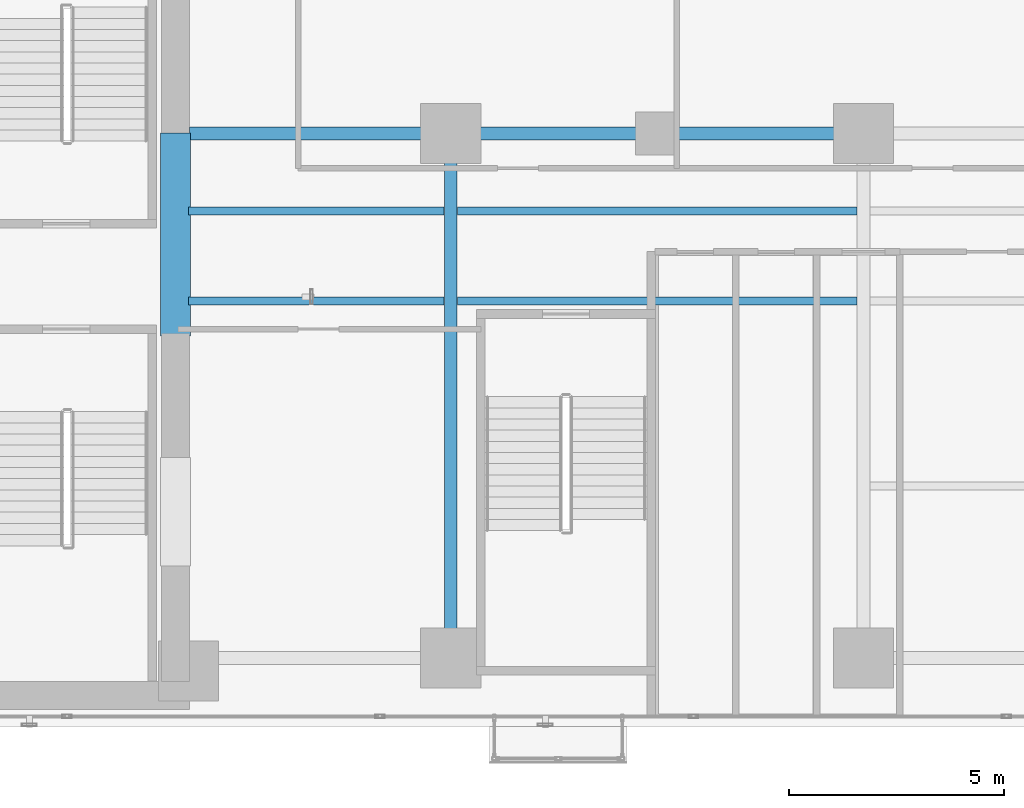
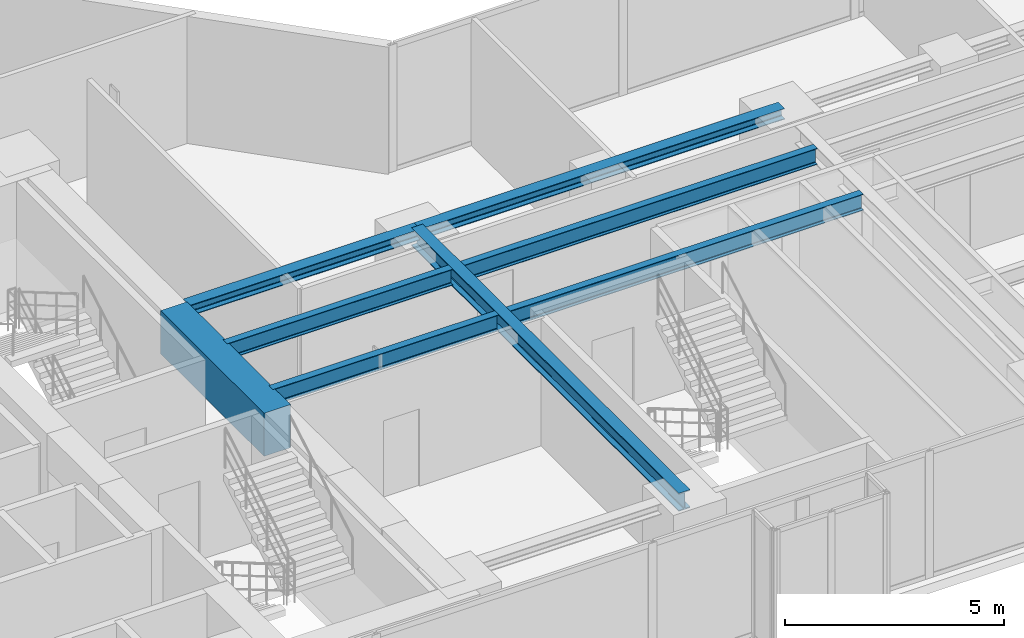
# One storey, part 5 of 24: 8 beams.
"""IFC4 building model written with IfcOpenShell, lengths in metres."""

from ifc_helpers import new_model, si_unit, direction, frame, origin, origin_2d, place, context, subcontext, project, spatial, rectangle, i_section, extrude, material, material_profile, profile_set, type_object, element, save


model = new_model("IFC4")

# Units and contexts
model_context = context("Model", 3, precision=1e-05, world=origin(), true_north=direction((0.0, 1.0)))
body_context = subcontext(model_context, "Body", "Model", "MODEL_VIEW")
ifc_project = project(units=[si_unit("LENGTHUNIT", "METRE"), si_unit("AREAUNIT", "SQUARE_METRE"), si_unit("VOLUMEUNIT", "CUBIC_METRE"), si_unit("PLANEANGLEUNIT", "RADIAN"), si_unit("MASSUNIT", "GRAM", prefix="KILO")], contexts=[model_context])

# Site, building, storey
site_placement = place(None, origin())
site = spatial("IfcSite", under=ifc_project, at=site_placement, CompositionType="ELEMENT")
building_placement = place(site_placement, origin())
building = spatial("IfcBuilding", under=site, at=building_placement, Name="Kolvaren Waterfront Exchange", CompositionType="ELEMENT")
storey_placement = place(building_placement, frame((0.0, 0.0, 95.5)))
storey = spatial("IfcBuildingStorey", under=building, at=storey_placement, Name="L24", CompositionType="ELEMENT", Elevation=95.5)

# Beams
ifc_material_1 = material(Name="Steel S355", Category="steel")
ifc_material_profile_1 = material_profile(ifc_material_1, i_section(OverallWidth=0.300048828125, OverallDepth=0.300048828125, WebThickness=0.010986328125, FlangeThickness=0.01904296875, FilletRadius=0.027099609375, at=origin_2d()), Name="HEB300")
ifc_profile_set_1 = profile_set([ifc_material_profile_1], Name="Steel S355")
beam_type_1 = type_object("IfcBeamType", Name="STR-BM-HEB300", PredefinedType="SPANDREL", material=ifc_profile_set_1)
beam_1_placement = place(storey_placement, frame((21.125, 17.39990234375, 3.389892578125), z_axis=(1.0, 0.0, 0.0), x_axis=(0.0, 1.0, 0.0)))
element("IfcBeam", 1, at=beam_1_placement, inside=storey, type_object=beam_type_1, Name="L24 east-arm spandrel N1", PredefinedType="SPANDREL", context=body_context, shape_type="SweptSolid", body=[
    extrude(i_section(OverallWidth=0.300048828125, OverallDepth=0.300048828125, WebThickness=0.010986328125, FlangeThickness=0.01904296875, FilletRadius=0.027099609375, at=origin_2d()), origin(), (0.0, 0.0, 1.0), 6.074951171875),
])
beam_2_placement = place(storey_placement, frame((27.199951171875, 17.39990234375, 3.389892578125), z_axis=(1.0, 0.0, 0.0), x_axis=(0.0, 1.0, 0.0)))
element("IfcBeam", 2, at=beam_2_placement, inside=storey, type_object=beam_type_1, Name="L24 east-arm spandrel N2", PredefinedType="SPANDREL", context=body_context, shape_type="SweptSolid", body=[
    extrude(i_section(OverallWidth=0.300048828125, OverallDepth=0.300048828125, WebThickness=0.010986328125, FlangeThickness=0.01904296875, FilletRadius=0.027099609375, at=origin_2d()), origin(), (0.0, 0.0, 1.0), 9.60009765625),
])
ifc_material_profile_2 = material_profile(ifc_material_1, i_section(OverallWidth=0.300048828125, OverallDepth=0.5, WebThickness=0.014404296875, FlangeThickness=0.028076171875, FilletRadius=0.027099609375, at=origin_2d()), Name="HEB500")
ifc_profile_set_2 = profile_set([ifc_material_profile_2], Name="Steel S355")
beam_type_2 = type_object("IfcBeamType", Name="STR-BM-HEB500", PredefinedType="BEAM", material=ifc_profile_set_2)
beam_3_placement = place(storey_placement, frame((27.199951171875, 5.199951171875, 3.2900390625), z_axis=(0.0, 1.0, 0.0), x_axis=(-1.0, 0.0, 0.0)))
element("IfcBeam", 3, at=beam_3_placement, inside=storey, type_object=beam_type_2, Name="L24 east-arm transverse girder X27", PredefinedType="BEAM", context=body_context, shape_type="SweptSolid", body=[
    extrude(i_section(OverallWidth=0.300048828125, OverallDepth=0.5, WebThickness=0.014404296875, FlangeThickness=0.028076171875, FilletRadius=0.027099609375, at=origin_2d()), origin(), (0.0, 0.0, 1.0), 12.199951171875),
])
ifc_material_profile_3 = material_profile(ifc_material_1, i_section(OverallWidth=0.18994140625, OverallDepth=0.449951171875, WebThickness=0.009521484375, FlangeThickness=0.0146484375, FilletRadius=0.02099609375, at=origin_2d()), Name="IPE450")
ifc_profile_set_3 = profile_set([ifc_material_profile_3], Name="Steel S355")
beam_type_3 = type_object("IfcBeamType", Name="STR-BM-IPE450", PredefinedType="JOIST", material=ifc_profile_set_3)
for number, where, z_axis, x_axis, name in (
    (4, (21.10009765625, 13.5, 3.31494140625), (1.0, 0.0, 0.0), (0.0, 1.0, 0.0), "L24 east-arm composite joist 1A"),
    (5, (21.10009765625, 15.60009765625, 3.31494140625), (1.0, 0.0, 0.0), (0.0, 1.0, 0.0), "L24 east-arm composite joist 1C"),
):
    element("IfcBeam", number, at=place(storey_placement, frame(where, z_axis=z_axis, x_axis=x_axis)), inside=storey, type_object=beam_type_3, Name=name, PredefinedType="JOIST", context=body_context, shape_type="SweptSolid", body=[
        extrude(i_section(OverallWidth=0.18994140625, OverallDepth=0.449951171875, WebThickness=0.009521484375, FlangeThickness=0.0146484375, FilletRadius=0.02099609375, at=origin_2d()), origin(), (0.0, 0.0, 1.0), 5.947998046875),
    ])
for number, where, z_axis, x_axis, name in (
    (6, (27.35205078125, 13.5, 3.31494140625), (1.0, 0.0, 0.0), (0.0, 1.0, 0.0), "L24 east-arm composite joist 2A"),
    (7, (27.35205078125, 15.60009765625, 3.31494140625), (1.0, 0.0, 0.0), (0.0, 1.0, 0.0), "L24 east-arm composite joist 2C"),
):
    element("IfcBeam", number, at=place(storey_placement, frame(where, z_axis=z_axis, x_axis=x_axis)), inside=storey, type_object=beam_type_3, Name=name, PredefinedType="JOIST", context=body_context, shape_type="SweptSolid", body=[
        extrude(i_section(OverallWidth=0.18994140625, OverallDepth=0.449951171875, WebThickness=0.009521484375, FlangeThickness=0.0146484375, FilletRadius=0.02099609375, at=origin_2d()), origin(), (0.0, 0.0, 1.0), 9.2958984375),
    ])
ifc_material_2 = material(Name="Concrete C70/85", Category="concrete")
ifc_material_profile_4 = material_profile(ifc_material_2, rectangle(XDim=0.699951171875, YDim=1.199951171875, at=origin_2d()), Name="RC-CB-1200x700")
ifc_profile_set_4 = profile_set([ifc_material_profile_4], Name="Concrete C70/85")
beam_type_4 = type_object("IfcBeamType", Name="STR-CB-1200", PredefinedType="SPANDREL", material=ifc_profile_set_4)
beam_4_placement = place(storey_placement, frame((20.800048828125, 12.68994140625, 2.93994140625), z_axis=(0.0, 1.0, 0.0), x_axis=(-1.0, 0.0, 0.0)))
element("IfcBeam", 8, at=beam_4_placement, inside=storey, type_object=beam_type_4, Name="L24 core coupling beam 2", PredefinedType="SPANDREL", context=body_context, shape_type="SweptSolid", body=[
    extrude(rectangle(XDim=0.699951171875, YDim=1.199951171875, at=origin_2d()), origin(), (0.0, 0.0, 1.0), 4.719970703125),
])

save(model, "model.ifc")
